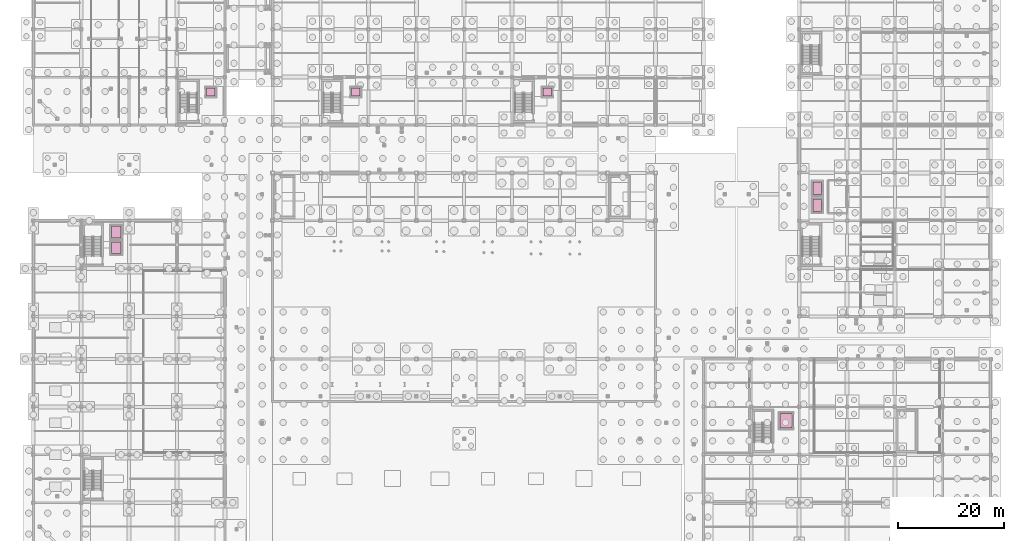
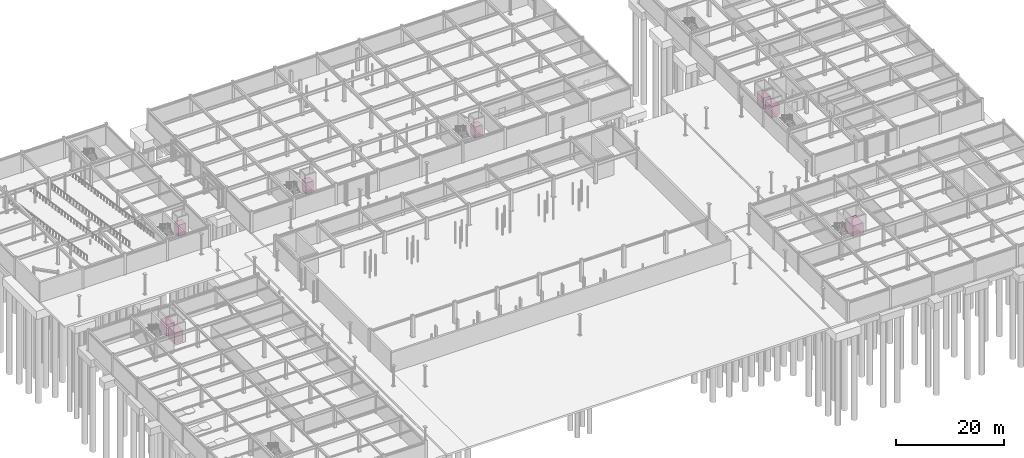
# One storey, part 74 of 74: 8 transport elements.
"""IFC4 building model written with IfcOpenShell, lengths in metres."""

from ifc_helpers import new_model, si_unit, direction, frame, origin, origin_2d, place, context, subcontext, project, spatial, rectangle, extrude, material, type_object, element, save


model = new_model("IFC4")

# Units and contexts
model_context = context("Model", 3, precision=1e-05, world=origin(), true_north=direction((0.0, 1.0)))
body_context = subcontext(model_context, "Body", "Model", "MODEL_VIEW")
ifc_project = project(units=[si_unit("LENGTHUNIT", "METRE"), si_unit("AREAUNIT", "SQUARE_METRE"), si_unit("VOLUMEUNIT", "CUBIC_METRE"), si_unit("PLANEANGLEUNIT", "RADIAN"), si_unit("MASSUNIT", "GRAM", prefix="KILO")], contexts=[model_context])

# Site, building, storey
site_placement = place(None, origin())
site = spatial("IfcSite", under=ifc_project, at=site_placement, CompositionType="ELEMENT")
building_placement = place(site_placement, origin())
building = spatial("IfcBuilding", under=site, at=building_placement, Name="Suzunagisa Mobility Hub", CompositionType="ELEMENT")
storey_placement = place(building_placement, frame((0.0, 0.0, -4.800048828125)))
storey = spatial("IfcBuildingStorey", under=building, at=storey_placement, Name="B1", CompositionType="ELEMENT", Elevation=-4.800048828125)

# Transport elements
ifc_material = material(Name="Brushed Stainless Steel SUS304", Category="metal")
transport_element_type_1 = type_object("IfcTransportElementType", Name="Elevator Car LF-01 1800x2200", PredefinedType="ELEVATOR", material=ifc_material)
transport_element_1_placement = place(storey_placement, frame((15.60009765625, 56.89990234375, 0.0), z_axis=(0.0, 0.0, 1.0), x_axis=(1.0, 0.0, 0.0)))
element("IfcTransportElement", 1, at=transport_element_1_placement, inside=storey, type_object=transport_element_type_1, Name="Elevator LF-01", PredefinedType="ELEVATOR", context=body_context, shape_type="SweptSolid", body=[
    extrude(rectangle(XDim=1.800048828125, YDim=2.199951171875, at=origin_2d()), origin(), (0.0, 0.0, 1.0), 2.5),
])
transport_element_type_2 = type_object("IfcTransportElementType", Name="Elevator Car LF-02 1800x2200", PredefinedType="ELEVATOR", material=ifc_material)
transport_element_2_placement = place(storey_placement, frame((15.60009765625, 59.89990234375, 0.0), z_axis=(0.0, 0.0, 1.0), x_axis=(1.0, 0.0, 0.0)))
element("IfcTransportElement", 2, at=transport_element_2_placement, inside=storey, type_object=transport_element_type_2, Name="Elevator LF-02", PredefinedType="ELEVATOR", context=body_context, shape_type="SweptSolid", body=[
    extrude(rectangle(XDim=1.800048828125, YDim=2.199951171875, at=origin_2d()), origin(), (0.0, 0.0, 1.0), 2.5),
])
transport_element_type_3 = type_object("IfcTransportElementType", Name="Elevator Car LF-04 1600x1500", PredefinedType="ELEVATOR", material=ifc_material)
transport_element_3_placement = place(storey_placement, frame((60.60009765625, 86.199951171875, 0.0), z_axis=(0.0, 0.0, 1.0), x_axis=(1.0, 0.0, 0.0)))
element("IfcTransportElement", 3, at=transport_element_3_placement, inside=storey, type_object=transport_element_type_3, Name="Elevator LF-04", PredefinedType="ELEVATOR", context=body_context, shape_type="SweptSolid", body=[
    extrude(rectangle(XDim=1.60009765625, YDim=1.5, at=origin_2d()), origin(), (0.0, 0.0, 1.0), 2.5),
])
transport_element_type_4 = type_object("IfcTransportElementType", Name="Elevator Car LF-05 1600x2400", PredefinedType="ELEVATOR", material=ifc_material)
transport_element_4_placement = place(storey_placement, frame((147.39990234375, 64.89990234375, 0.0), z_axis=(0.0, 0.0, 1.0), x_axis=(1.0, 0.0, 0.0)))
element("IfcTransportElement", 4, at=transport_element_4_placement, inside=storey, type_object=transport_element_type_4, Name="Firefighting Elevator LF-05", PredefinedType="ELEVATOR", context=body_context, shape_type="SweptSolid", body=[
    extrude(rectangle(XDim=1.60009765625, YDim=2.39990234375, at=origin_2d()), origin(), (0.0, 0.0, 1.0), 2.5),
])
transport_element_type_5 = type_object("IfcTransportElementType", Name="Elevator Car LF-06 1600x2400", PredefinedType="ELEVATOR", material=ifc_material)
transport_element_5_placement = place(storey_placement, frame((147.39990234375, 68.10009765625, 0.0), z_axis=(0.0, 0.0, 1.0), x_axis=(1.0, 0.0, 0.0)))
element("IfcTransportElement", 5, at=transport_element_5_placement, inside=storey, type_object=transport_element_type_5, Name="Firefighting Elevator LF-06", PredefinedType="ELEVATOR", context=body_context, shape_type="SweptSolid", body=[
    extrude(rectangle(XDim=1.60009765625, YDim=2.39990234375, at=origin_2d()), origin(), (0.0, 0.0, 1.0), 2.5),
])
transport_element_type_6 = type_object("IfcTransportElementType", Name="Elevator Car LF-07 1600x1500", PredefinedType="ELEVATOR", material=ifc_material)
transport_element_6_placement = place(storey_placement, frame((96.60009765625, 86.199951171875, 0.0), z_axis=(0.0, 0.0, 1.0), x_axis=(1.0, 0.0, 0.0)))
element("IfcTransportElement", 6, at=transport_element_6_placement, inside=storey, type_object=transport_element_type_6, Name="Elevator LF-07", PredefinedType="ELEVATOR", context=body_context, shape_type="SweptSolid", body=[
    extrude(rectangle(XDim=1.60009765625, YDim=1.5, at=origin_2d()), origin(), (0.0, 0.0, 1.0), 2.5),
])
transport_element_type_7 = type_object("IfcTransportElementType", Name="Elevator Car LF-08 2200x2800", PredefinedType="ELEVATOR", material=ifc_material)
transport_element_7_placement = place(storey_placement, frame((141.5, 24.39990234375, 0.0), z_axis=(0.0, 0.0, 1.0), x_axis=(1.0, 0.0, 0.0)))
element("IfcTransportElement", 7, at=transport_element_7_placement, inside=storey, type_object=transport_element_type_7, Name="Elevator LF-08", PredefinedType="ELEVATOR", context=body_context, shape_type="SweptSolid", body=[
    extrude(rectangle(XDim=2.199951171875, YDim=2.800048828125, at=origin_2d()), origin(), (0.0, 0.0, 1.0), 2.5),
])
transport_element_type_8 = type_object("IfcTransportElementType", Name="Elevator Car LF-09 1600x1500", PredefinedType="ELEVATOR", material=ifc_material)
transport_element_8_placement = place(storey_placement, frame((33.39990234375, 86.199951171875, 0.0), z_axis=(0.0, 0.0, 1.0), x_axis=(1.0, 0.0, 0.0)))
element("IfcTransportElement", 8, at=transport_element_8_placement, inside=storey, type_object=transport_element_type_8, Name="Elevator LF-09", PredefinedType="ELEVATOR", context=body_context, shape_type="SweptSolid", body=[
    extrude(rectangle(XDim=1.60009765625, YDim=1.5, at=origin_2d()), origin(), (0.0, 0.0, 1.0), 2.5),
])

save(model, "model.ifc")
